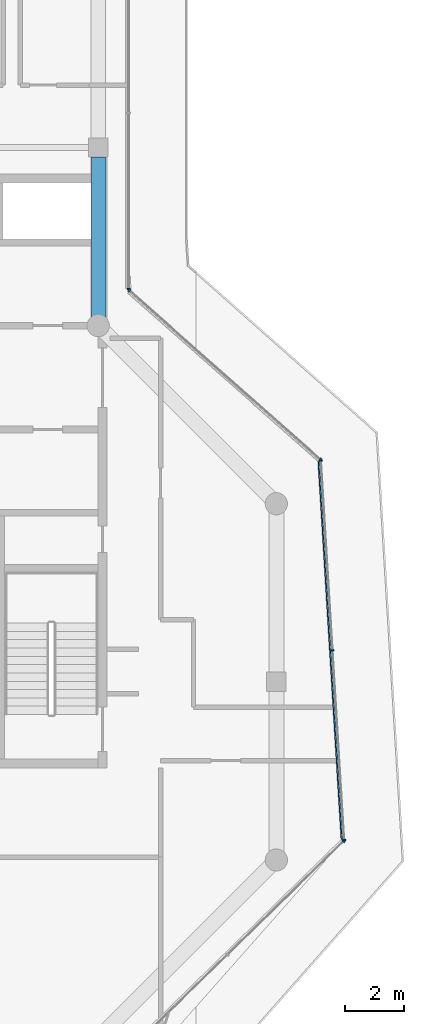
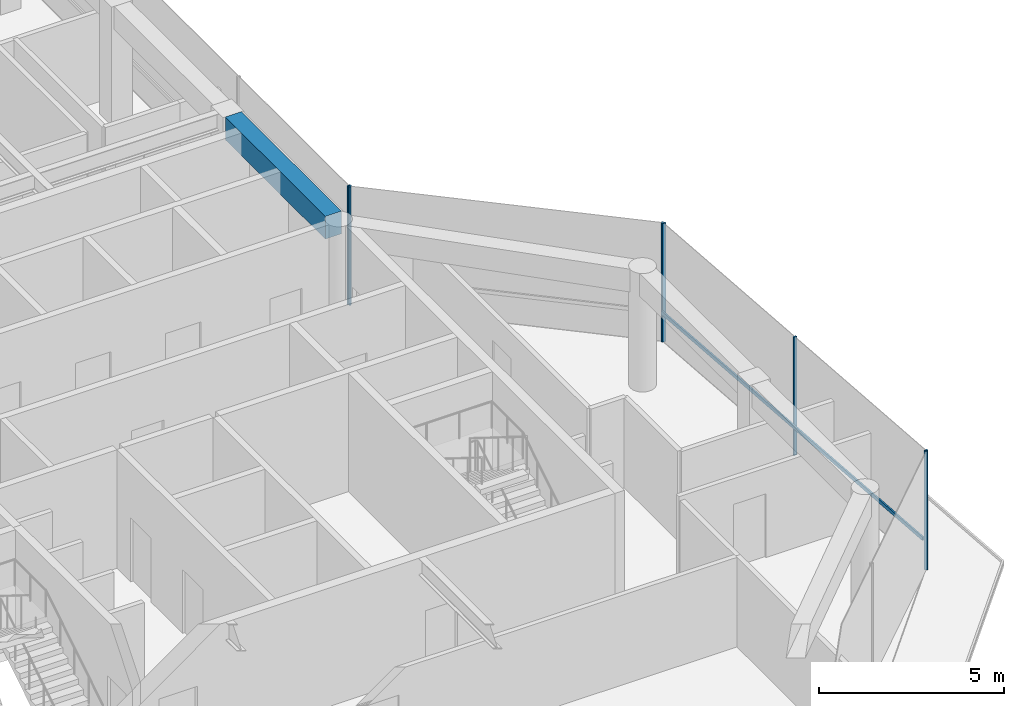
# One storey, part 7 of 22: 8 members, 1 beam, 4 elements without a shape of their own.
"""IFC4 building model written with IfcOpenShell, lengths in metres."""

from ifc_helpers import new_model, si_unit, direction, frame, origin, origin_2d, place, context, subcontext, project, spatial, rectangle, extrude, material, layer, layer_set, material_profile, profile_set, type_object, element, aggregate, save


model = new_model("IFC4")

# Units and contexts
model_context = context("Model", 3, precision=1e-05, world=origin(), true_north=direction((0.0, 1.0)))
body_context = subcontext(model_context, "Body", "Model", "MODEL_VIEW")
ifc_project = project(units=[si_unit("LENGTHUNIT", "METRE"), si_unit("AREAUNIT", "SQUARE_METRE"), si_unit("VOLUMEUNIT", "CUBIC_METRE"), si_unit("PLANEANGLEUNIT", "RADIAN"), si_unit("MASSUNIT", "GRAM", prefix="KILO")], contexts=[model_context])

# Site, building, storey
site_placement = place(None, origin())
site = spatial("IfcSite", under=ifc_project, at=site_placement, CompositionType="ELEMENT")
building_placement = place(site_placement, origin())
building = spatial("IfcBuilding", under=site, at=building_placement, Name="Welwitschia Terrace Campus", CompositionType="ELEMENT")
storey_placement = place(building_placement, frame((0.0, 0.0, 318.800048828125)))
storey = spatial("IfcBuildingStorey", under=building, at=storey_placement, Name="L71", CompositionType="ELEMENT", Elevation=318.800048828125)

# Curtain wall, member
ifc_material_1 = material(Name="Bronze anodised aluminium", Category="aluminium")
ifc_layer = layer(ifc_material_1, 0.10009765625)
ifc_layer_set = layer_set([ifc_layer], Name="Bronze anodised aluminium")
curtain_wall_type = type_object("IfcCurtainWallType", Name="Curtain wall CW5 crown 6000", PredefinedType="NOTDEFINED", material=ifc_layer_set)
curtain_wall_1_placement = place(storey_placement, origin())
curtain_wall_1 = element("IfcCurtainWall", 1, at=curtain_wall_1_placement, inside=storey, type_object=curtain_wall_type, Name="CW L71.2.0", PredefinedType="NOTDEFINED")
ifc_material_2 = material(Name="Bronze anodised aluminium", Category="aluminium")
ifc_material_profile_1 = material_profile(ifc_material_2, rectangle(XDim=0.10009765625, YDim=0.050048828125, at=origin_2d()))
ifc_profile_set_1 = profile_set([ifc_material_profile_1], Name="Bronze anodised aluminium")
member_type_1 = type_object("IfcMemberType", Name="Mullion 50x100", PredefinedType="MULLION", material=ifc_profile_set_1)
member_1_placement = place(storey_placement, frame((32.265625, 2.631103515625, 0.0), z_axis=(0.0, 0.0, 1.0), x_axis=(-0.698941482617, 0.715178861458, 0.0)))
member_1 = element("IfcMember", 2, at=member_1_placement, type_object=member_type_1, Name="Mullion L71.2.0.2", PredefinedType="MULLION", context=body_context, shape_type="SweptSolid", body=[
    extrude(rectangle(XDim=0.10009765625, YDim=0.050048828125, at=origin_2d()), origin(), (0.0, 0.0, 1.0), 3.89990234375),
])
aggregate(curtain_wall_1, [member_1])

# Curtain wall, members
curtain_wall_2_placement = place(storey_placement, origin())
curtain_wall_2 = element("IfcCurtainWall", 3, at=curtain_wall_2_placement, inside=storey, type_object=curtain_wall_type, Name="CW L71.3.0", PredefinedType="NOTDEFINED")
member_2_placement = place(storey_placement, frame((32.281982421875, 2.67333984375, 0.0), z_axis=(0.0, 0.0, 1.0), x_axis=(-0.998134798422, -0.061048539535, 0.0)))
member_2 = element("IfcMember", 4, at=member_2_placement, type_object=member_type_1, Name="Mullion L71.3.0.0", PredefinedType="MULLION", context=body_context, shape_type="SweptSolid", body=[
    extrude(rectangle(XDim=0.10009765625, YDim=0.050048828125, at=origin_2d()), origin(), (0.0, 0.0, 1.0), 3.89990234375),
])
member_3_placement = place(storey_placement, frame((31.89111328125, 9.063232421875, 0.0), z_axis=(0.0, 0.0, 1.0), x_axis=(-0.998134798422, -0.061048539535, 0.0)))
member_3 = element("IfcMember", 5, at=member_3_placement, type_object=member_type_1, Name="Mullion L71.3.0.1", PredefinedType="MULLION", context=body_context, shape_type="SweptSolid", body=[
    extrude(rectangle(XDim=0.10009765625, YDim=0.050048828125, at=origin_2d()), origin(), (0.0, 0.0, 1.0), 3.89990234375),
])
member_4_placement = place(storey_placement, frame((31.500244140625, 15.452880859375, 0.0), z_axis=(0.0, 0.0, 1.0), x_axis=(-0.998134798422, -0.061048539535, 0.0)))
member_4 = element("IfcMember", 6, at=member_4_placement, type_object=member_type_1, Name="Mullion L71.3.0.2", PredefinedType="MULLION", context=body_context, shape_type="SweptSolid", body=[
    extrude(rectangle(XDim=0.10009765625, YDim=0.050048828125, at=origin_2d()), origin(), (0.0, 0.0, 1.0), 3.89990234375),
])

curtain_wall_3_placement = place(storey_placement, origin())
curtain_wall_3 = element("IfcCurtainWall", 7, at=curtain_wall_3_placement, inside=storey, type_object=curtain_wall_type, Name="CW L71.4.0", PredefinedType="NOTDEFINED")
member_5_placement = place(storey_placement, frame((31.47998046875, 15.494384765625, 0.0), z_axis=(0.0, 0.0, 1.0), x_axis=(-0.662620048216, -0.748955720789, 0.0)))
member_5 = element("IfcMember", 8, at=member_5_placement, type_object=member_type_1, Name="Mullion L71.4.0.0", PredefinedType="MULLION", context=body_context, shape_type="SweptSolid", body=[
    extrude(rectangle(XDim=0.10009765625, YDim=0.050048828125, at=origin_2d()), origin(), (0.0, 0.0, 1.0), 3.89990234375),
])
member_6_placement = place(storey_placement, frame((25.048828125, 21.184326171875, 0.0), z_axis=(0.0, 0.0, 1.0), x_axis=(-0.662620048216, -0.748955720789, 0.0)))
member_6 = element("IfcMember", 9, at=member_6_placement, type_object=member_type_1, Name="Mullion L71.4.0.1", PredefinedType="MULLION", context=body_context, shape_type="SweptSolid", body=[
    extrude(rectangle(XDim=0.10009765625, YDim=0.050048828125, at=origin_2d()), origin(), (0.0, 0.0, 1.0), 3.89990234375),
])
aggregate(curtain_wall_3, [member_5, member_6])

# Curtain wall, member
curtain_wall_4_placement = place(storey_placement, origin())
curtain_wall_4 = element("IfcCurtainWall", 10, at=curtain_wall_4_placement, inside=storey, type_object=curtain_wall_type, Name="CW L71.5.0", PredefinedType="NOTDEFINED")
member_7_placement = place(storey_placement, frame((25.030029296875, 21.225830078125, 0.0), z_axis=(0.0, 0.0, 1.0), x_axis=(-1.0, 0.0, 0.0)))
member_7 = element("IfcMember", 11, at=member_7_placement, type_object=member_type_1, Name="Mullion L71.5.0.0", PredefinedType="MULLION", context=body_context, shape_type="SweptSolid", body=[
    extrude(rectangle(XDim=0.10009765625, YDim=0.050048828125, at=origin_2d()), origin(), (0.0, 0.0, 1.0), 3.89990234375),
])
aggregate(curtain_wall_4, [member_7])

# Beam
ifc_material_3 = material(Name="Concrete C40/50", Category="concrete")
ifc_material_profile_2 = material_profile(ifc_material_3, rectangle(XDim=0.5, YDim=0.75, at=origin_2d()))
ifc_profile_set_2 = profile_set([ifc_material_profile_2], Name="Concrete C40/50")
beam_type = type_object("IfcBeamType", Name="Ring spandrel 500x750", PredefinedType="SPANDREL", material=ifc_profile_set_2)
beam_placement = place(storey_placement, frame((24.0, 20.280517578125, 3.52490234375), z_axis=(0.0, 1.0, 0.0), x_axis=(-1.0, 0.0, 0.0)))
element("IfcBeam", 12, at=beam_placement, inside=storey, type_object=beam_type, Name="Spandrel SP5", PredefinedType="SPANDREL", context=body_context, shape_type="SweptSolid", body=[
    extrude(rectangle(XDim=0.5, YDim=0.75, at=origin_2d()), origin(), (0.0, 0.0, 1.0), 5.39404296875),
])

# Member
ifc_material_4 = material(Name="Bronze anodised aluminium", Category="aluminium")
ifc_material_profile_3 = material_profile(ifc_material_4, rectangle(XDim=0.050048828125, YDim=0.1201171875, at=origin_2d()))
ifc_profile_set_3 = profile_set([ifc_material_profile_3], Name="Bronze anodised aluminium")
member_type_2 = type_object("IfcMemberType", Name="Transom 50x120", PredefinedType="USERDEFINED", material=ifc_profile_set_3)
member_8_placement = place(storey_placement, frame((32.20556640625, 2.69384765625, 1.0), z_axis=(-0.061048176887, 0.998134820602, 0.0), x_axis=(-0.998134820602, -0.061048176887, 0.0)))
member_8 = element("IfcMember", 13, at=member_8_placement, type_object=member_type_2, Name="Transom L71.3.0", ObjectType="TRANSOM", PredefinedType="USERDEFINED", context=body_context, shape_type="SweptSolid", body=[
    extrude(rectangle(XDim=0.050048828125, YDim=0.1201171875, at=origin_2d()), origin(), (0.0, 0.0, 1.0), 12.753173828125),
])

aggregate(curtain_wall_2, [member_2, member_3, member_4, member_8])

save(model, "model.ifc")
